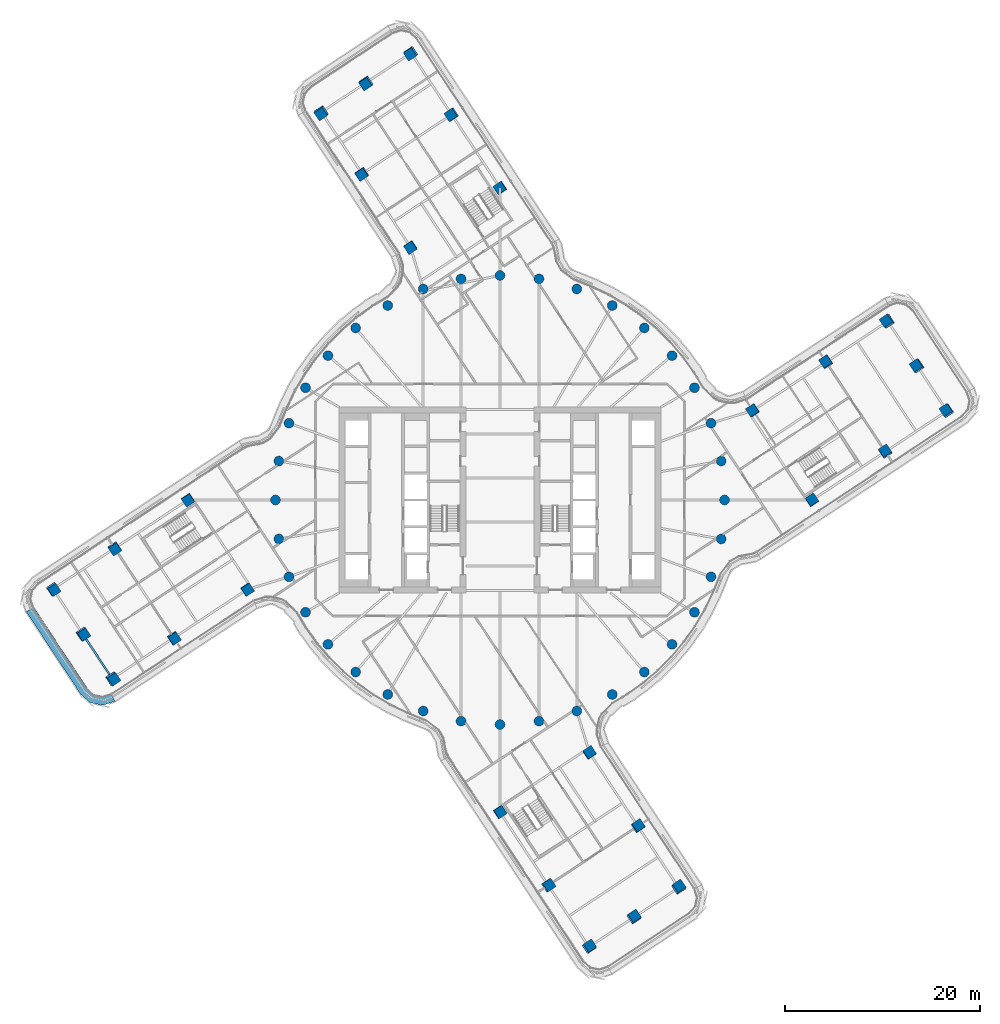
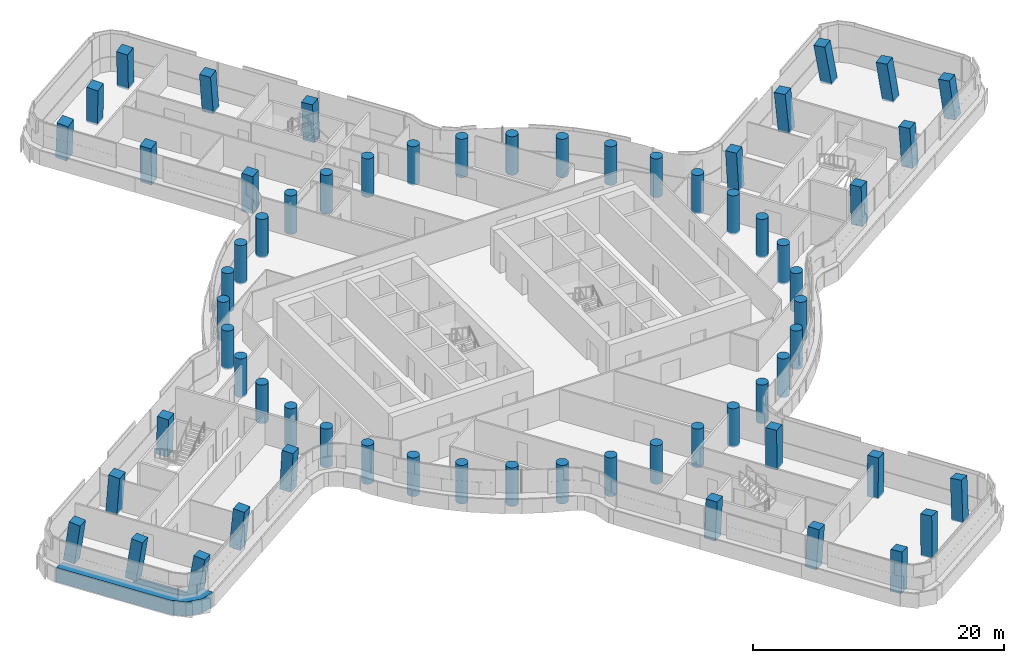
# One storey, part 1 of 35: 64 columns, 1 beam, 1 member, 1 element without a shape of its own.
"""IFC4 building model written with IfcOpenShell, lengths in metres."""

from ifc_helpers import new_model, si_unit, direction, frame, origin, origin_2d, place, context, subcontext, project, spatial, polyline, rectangle, circle, i_section, outline, extrude, material, layer, layer_set, material_profile, profile_set, type_object, element, aggregate, save


model = new_model("IFC4")

# Units and contexts
model_context = context("Model", 3, precision=1e-05, world=origin(), true_north=direction((0.0, 1.0)))
body_context = subcontext(model_context, "Body", "Model", "MODEL_VIEW")
ifc_project = project(units=[si_unit("LENGTHUNIT", "METRE"), si_unit("AREAUNIT", "SQUARE_METRE"), si_unit("VOLUMEUNIT", "CUBIC_METRE"), si_unit("PLANEANGLEUNIT", "RADIAN"), si_unit("MASSUNIT", "GRAM", prefix="KILO")], contexts=[model_context])

# Site, building, storey
site_placement = place(None, origin())
site = spatial("IfcSite", under=ifc_project, at=site_placement, CompositionType="ELEMENT")
building_placement = place(site_placement, origin())
building = spatial("IfcBuilding", under=site, at=building_placement, Name="Tamarind Cross Interchange Tower", CompositionType="ELEMENT")
storey_placement = place(building_placement, frame((0.0, 0.0, 155.5)))
storey = spatial("IfcBuildingStorey", under=building, at=storey_placement, Name="L38", CompositionType="ELEMENT", Elevation=155.5)

# Columns
ifc_material_1 = material(Name="Concrete C60", Category="concrete")
ifc_material_profile_1 = material_profile(ifc_material_1, rectangle(XDim=1.0, YDim=1.0, at=origin_2d()), Name="RC 1000x1000")
ifc_profile_set_1 = profile_set([ifc_material_profile_1], Name="Concrete C60")
column_type_1 = type_object("IfcColumnType", Name="Column RC 1000x1000 Concrete C60", PredefinedType="COLUMN", material=ifc_profile_set_1)
for number, where, z_axis, x_axis, name in (
    (1, (33.40673828125, 14.121826171875, -0.138427734375), (-0.068866576959, 0.054586985129, 0.996131344569), (0.54816955083, -0.832188590428, 0.083500260506), "Column L38-036"),
    (2, (39.467529296875, 4.942138671875, -0.138427734375), (-0.02466467689, 0.084379157781, 0.996128411123), (-0.835089681164, -0.549505215294, 0.02586972705), "Column L38-037"),
):
    element("IfcColumn", number, at=place(storey_placement, frame(where, z_axis=z_axis, x_axis=x_axis)), inside=storey, type_object=column_type_1, Name=name, PredefinedType="COLUMN", context=body_context, shape_type="SweptSolid", body=[
        extrude(rectangle(XDim=1.0, YDim=1.0, at=origin_2d()), origin(), (0.0, 0.0, 1.0), 3.761474609375),
    ])
for number, where, z_axis, x_axis, name in (
    (3, (25.896240234375, 9.1630859375, -0.138671875), (-0.044706213481, 0.018481171221, 0.998829215025), (0.55085630211, -0.833637157717, 0.040080215802), "Column L38-038"),
    (4, (31.956787109375, -0.016845703125, -0.138671875), (-0.000325373112, 0.048350444497, 0.99883038032), (-0.834913301645, -0.549750844654, 0.026339846965), "Column L38-039"),
):
    element("IfcColumn", number, at=place(storey_placement, frame(where, z_axis=z_axis, x_axis=x_axis)), inside=storey, type_object=column_type_1, Name=name, PredefinedType="COLUMN", context=body_context, shape_type="SweptSolid", body=[
        extrude(rectangle(XDim=1.0, YDim=1.0, at=origin_2d()), origin(), (0.0, 0.0, 1.0), 3.751708984375),
    ])
column_1_placement = place(storey_placement, frame((45.782470703125, 9.111328125, -0.13818359375), z_axis=(-0.099671102407, 0.076774561036, 0.992054100401), x_axis=(0.544782559192, -0.830094579699, 0.118974585332)))
element("IfcColumn", 5, at=column_1_placement, inside=storey, type_object=column_type_1, Name="Column L38-040", PredefinedType="COLUMN", context=body_context, shape_type="SweptSolid", body=[
    extrude(rectangle(XDim=1.0, YDim=1.0, at=origin_2d()), origin(), (0.0, 0.0, 1.0), 3.774658203125),
])
column_2_placement = place(storey_placement, frame((42.752197265625, 13.701171875, -0.137939453125), z_axis=(-0.121562821137, 0.061879480685, 0.990653022197), x_axis=(0.543618871996, -0.830909437452, 0.118608721274)))
element("IfcColumn", 6, at=column_2_placement, inside=storey, type_object=column_type_1, Name="Column L38-041", PredefinedType="COLUMN", context=body_context, shape_type="SweptSolid", body=[
    extrude(rectangle(XDim=1.0, YDim=1.0, at=origin_2d()), origin(), (0.0, 0.0, 1.0), 3.77978515625),
])
column_3_placement = place(storey_placement, frame((39.7216796875, 18.291015625, -0.137939453125), z_axis=(-0.143223064362, 0.046989025167, 0.988574319588), x_axis=(0.542273683982, -0.831859810844, 0.118103796565)))
element("IfcColumn", 7, at=column_3_placement, inside=storey, type_object=column_type_1, Name="Column L38-042", PredefinedType="COLUMN", context=body_context, shape_type="SweptSolid", body=[
    extrude(rectangle(XDim=1.0, YDim=1.0, at=origin_2d()), origin(), (0.0, 0.0, 1.0), 3.78759765625),
])
for number, where, z_axis, x_axis, name in (
    (8, (-14.121826171875, 33.40673828125, -0.138427734375), (-0.054586985129, -0.068866576959, 0.996131344569), (0.832188590428, 0.54816955083, 0.083500260506), "Column L38-043"),
    (9, (-4.942138671875, 39.467529296875, -0.138427734375), (-0.084379157781, -0.02466467689, 0.996128411123), (0.549505215294, -0.835089681164, 0.02586972705), "Column L38-044"),
):
    element("IfcColumn", number, at=place(storey_placement, frame(where, z_axis=z_axis, x_axis=x_axis)), inside=storey, type_object=column_type_1, Name=name, PredefinedType="COLUMN", context=body_context, shape_type="SweptSolid", body=[
        extrude(rectangle(XDim=1.0, YDim=1.0, at=origin_2d()), origin(), (0.0, 0.0, 1.0), 3.761474609375),
    ])
for number, where, z_axis, x_axis, name in (
    (10, (-9.1630859375, 25.896240234375, -0.138671875), (-0.018481171221, -0.044706213481, 0.998829215025), (0.833637157717, 0.55085630211, 0.040080215802), "Column L38-045"),
    (11, (0.016845703125, 31.956787109375, -0.138671875), (-0.048350444497, -0.000325373112, 0.99883038032), (0.549750844654, -0.834913301645, 0.026339846965), "Column L38-046"),
):
    element("IfcColumn", number, at=place(storey_placement, frame(where, z_axis=z_axis, x_axis=x_axis)), inside=storey, type_object=column_type_1, Name=name, PredefinedType="COLUMN", context=body_context, shape_type="SweptSolid", body=[
        extrude(rectangle(XDim=1.0, YDim=1.0, at=origin_2d()), origin(), (0.0, 0.0, 1.0), 3.751708984375),
    ])
column_4_placement = place(storey_placement, frame((-9.111328125, 45.782470703125, -0.13818359375), z_axis=(-0.076774561036, -0.099671102407, 0.992054100401), x_axis=(0.830094579699, 0.544782559192, 0.118974585332)))
element("IfcColumn", 12, at=column_4_placement, inside=storey, type_object=column_type_1, Name="Column L38-047", PredefinedType="COLUMN", context=body_context, shape_type="SweptSolid", body=[
    extrude(rectangle(XDim=1.0, YDim=1.0, at=origin_2d()), origin(), (0.0, 0.0, 1.0), 3.774658203125),
])
column_5_placement = place(storey_placement, frame((-13.701171875, 42.752197265625, -0.137939453125), z_axis=(-0.061879480685, -0.121562821137, 0.990653022197), x_axis=(0.830909437452, 0.543618871996, 0.118608721274)))
element("IfcColumn", 13, at=column_5_placement, inside=storey, type_object=column_type_1, Name="Column L38-048", PredefinedType="COLUMN", context=body_context, shape_type="SweptSolid", body=[
    extrude(rectangle(XDim=1.0, YDim=1.0, at=origin_2d()), origin(), (0.0, 0.0, 1.0), 3.77978515625),
])
column_6_placement = place(storey_placement, frame((-18.291015625, 39.7216796875, -0.137939453125), z_axis=(-0.046989025167, -0.143223064362, 0.988574319588), x_axis=(0.831859810844, 0.542273683982, 0.118103796565)))
element("IfcColumn", 14, at=column_6_placement, inside=storey, type_object=column_type_1, Name="Column L38-049", PredefinedType="COLUMN", context=body_context, shape_type="SweptSolid", body=[
    extrude(rectangle(XDim=1.0, YDim=1.0, at=origin_2d()), origin(), (0.0, 0.0, 1.0), 3.78759765625),
])
for number, where, z_axis, x_axis, name in (
    (15, (-33.40673828125, -14.121826171875, -0.138427734375), (0.068866576959, -0.054586985129, 0.996131344569), (-0.54816955083, 0.832188590428, 0.083500260506), "Column L38-050"),
    (16, (-39.467529296875, -4.942138671875, -0.138427734375), (0.02466467689, -0.084379157781, 0.996128411123), (0.835089681164, 0.549505215294, 0.02586972705), "Column L38-051"),
):
    element("IfcColumn", number, at=place(storey_placement, frame(where, z_axis=z_axis, x_axis=x_axis)), inside=storey, type_object=column_type_1, Name=name, PredefinedType="COLUMN", context=body_context, shape_type="SweptSolid", body=[
        extrude(rectangle(XDim=1.0, YDim=1.0, at=origin_2d()), origin(), (0.0, 0.0, 1.0), 3.761474609375),
    ])
for number, where, z_axis, x_axis, name in (
    (17, (-25.896240234375, -9.1630859375, -0.138671875), (0.044706213481, -0.018481171221, 0.998829215025), (-0.55085630211, 0.833637157717, 0.040080215802), "Column L38-052"),
    (18, (-31.956787109375, 0.016845703125, -0.138671875), (0.000325373112, -0.048350444497, 0.99883038032), (0.834913301645, 0.549750844654, 0.026339846965), "Column L38-053"),
):
    element("IfcColumn", number, at=place(storey_placement, frame(where, z_axis=z_axis, x_axis=x_axis)), inside=storey, type_object=column_type_1, Name=name, PredefinedType="COLUMN", context=body_context, shape_type="SweptSolid", body=[
        extrude(rectangle(XDim=1.0, YDim=1.0, at=origin_2d()), origin(), (0.0, 0.0, 1.0), 3.751708984375),
    ])
column_7_placement = place(storey_placement, frame((-45.782470703125, -9.111328125, -0.13818359375), z_axis=(0.099671102407, -0.076774561036, 0.992054100401), x_axis=(-0.544782559192, 0.830094579699, 0.118974585332)))
element("IfcColumn", 19, at=column_7_placement, inside=storey, type_object=column_type_1, Name="Column L38-054", PredefinedType="COLUMN", context=body_context, shape_type="SweptSolid", body=[
    extrude(rectangle(XDim=1.0, YDim=1.0, at=origin_2d()), origin(), (0.0, 0.0, 1.0), 3.774658203125),
])
column_8_placement = place(storey_placement, frame((-42.752197265625, -13.701171875, -0.137939453125), z_axis=(0.121562821137, -0.061879480685, 0.990653022197), x_axis=(-0.543618871996, 0.830909437452, 0.118608721274)))
element("IfcColumn", 20, at=column_8_placement, inside=storey, type_object=column_type_1, Name="Column L38-055", PredefinedType="COLUMN", context=body_context, shape_type="SweptSolid", body=[
    extrude(rectangle(XDim=1.0, YDim=1.0, at=origin_2d()), origin(), (0.0, 0.0, 1.0), 3.77978515625),
])
column_9_placement = place(storey_placement, frame((-39.7216796875, -18.291015625, -0.137939453125), z_axis=(0.143223064362, -0.046989025167, 0.988574319588), x_axis=(-0.542273683982, 0.831859810844, 0.118103796565)))
element("IfcColumn", 21, at=column_9_placement, inside=storey, type_object=column_type_1, Name="Column L38-056", PredefinedType="COLUMN", context=body_context, shape_type="SweptSolid", body=[
    extrude(rectangle(XDim=1.0, YDim=1.0, at=origin_2d()), origin(), (0.0, 0.0, 1.0), 3.78759765625),
])
for number, where, z_axis, x_axis, name in (
    (22, (14.121826171875, -33.40673828125, -0.138427734375), (0.054586985129, 0.068866576959, 0.996131344569), (-0.832188590428, -0.54816955083, 0.083500260506), "Column L38-057"),
    (23, (4.942138671875, -39.467529296875, -0.138427734375), (0.084379157781, 0.02466467689, 0.996128411123), (-0.549505215294, 0.835089681164, 0.02586972705), "Column L38-058"),
):
    element("IfcColumn", number, at=place(storey_placement, frame(where, z_axis=z_axis, x_axis=x_axis)), inside=storey, type_object=column_type_1, Name=name, PredefinedType="COLUMN", context=body_context, shape_type="SweptSolid", body=[
        extrude(rectangle(XDim=1.0, YDim=1.0, at=origin_2d()), origin(), (0.0, 0.0, 1.0), 3.761474609375),
    ])
for number, where, z_axis, x_axis, name in (
    (24, (9.1630859375, -25.896240234375, -0.138671875), (0.018481171221, 0.044706213481, 0.998829215025), (-0.833637157717, -0.55085630211, 0.040080215802), "Column L38-059"),
    (25, (-0.016845703125, -31.956787109375, -0.138671875), (0.048350444497, 0.000325373112, 0.99883038032), (-0.549750844654, 0.834913301645, 0.026339846965), "Column L38-060"),
):
    element("IfcColumn", number, at=place(storey_placement, frame(where, z_axis=z_axis, x_axis=x_axis)), inside=storey, type_object=column_type_1, Name=name, PredefinedType="COLUMN", context=body_context, shape_type="SweptSolid", body=[
        extrude(rectangle(XDim=1.0, YDim=1.0, at=origin_2d()), origin(), (0.0, 0.0, 1.0), 3.751708984375),
    ])
column_10_placement = place(storey_placement, frame((9.111328125, -45.782470703125, -0.13818359375), z_axis=(0.076774561036, 0.099671102407, 0.992054100401), x_axis=(-0.830094579699, -0.544782559192, 0.118974585332)))
element("IfcColumn", 26, at=column_10_placement, inside=storey, type_object=column_type_1, Name="Column L38-061", PredefinedType="COLUMN", context=body_context, shape_type="SweptSolid", body=[
    extrude(rectangle(XDim=1.0, YDim=1.0, at=origin_2d()), origin(), (0.0, 0.0, 1.0), 3.774658203125),
])
column_11_placement = place(storey_placement, frame((13.701171875, -42.752197265625, -0.137939453125), z_axis=(0.061879480685, 0.121562821137, 0.990653022197), x_axis=(-0.830909437452, -0.543618871996, 0.118608721274)))
element("IfcColumn", 27, at=column_11_placement, inside=storey, type_object=column_type_1, Name="Column L38-062", PredefinedType="COLUMN", context=body_context, shape_type="SweptSolid", body=[
    extrude(rectangle(XDim=1.0, YDim=1.0, at=origin_2d()), origin(), (0.0, 0.0, 1.0), 3.77978515625),
])
column_12_placement = place(storey_placement, frame((18.291015625, -39.7216796875, -0.137939453125), z_axis=(0.046989025167, 0.143223064362, 0.988574319588), x_axis=(-0.831859810844, -0.542273683982, 0.118103796565)))
element("IfcColumn", 28, at=column_12_placement, inside=storey, type_object=column_type_1, Name="Column L38-063", PredefinedType="COLUMN", context=body_context, shape_type="SweptSolid", body=[
    extrude(rectangle(XDim=1.0, YDim=1.0, at=origin_2d()), origin(), (0.0, 0.0, 1.0), 3.78759765625),
])
ifc_material_profile_2 = material_profile(ifc_material_1, circle(Radius=0.5, at=origin_2d()), Name="RC D1000")
ifc_profile_set_2 = profile_set([ifc_material_profile_2], Name="Concrete C60")
column_type_2 = type_object("IfcColumnType", Name="Column RC D1000 Concrete C60", PredefinedType="COLUMN", material=ifc_profile_set_2)
for number, where, z_axis, x_axis, name in (
    (29, (23.0, 0.0, -0.139892578125), (0.0, 0.0, 1.0), (1.0, 0.0, 0.0), "Column L38-000"),
    (30, (22.650634765625, 3.993896484375, -0.139892578125), (0.0, 0.0, 1.0), (1.0, 0.0, 0.0), "Column L38-001"),
    (31, (21.613037109375, 7.866455078125, -0.139892578125), (0.0, 0.0, 1.0), (1.0, 0.0, 0.0), "Column L38-002"),
    (32, (19.918701171875, 11.5, -0.139892578125), (0.0, 0.0, 1.0), (1.0, 0.0, 0.0), "Column L38-003"),
    (33, (17.619140625, 14.7841796875, -0.139892578125), (0.0, 0.0, 1.0), (1.0, 0.0, 0.0), "Column L38-004"),
    (34, (14.7841796875, 17.619140625, -0.139892578125), (0.0, 0.0, 1.0), (1.0, 0.0, 0.0), "Column L38-005"),
    (35, (11.5, 19.918701171875, -0.139892578125), (0.0, 0.0, 1.0), (1.0, 0.0, 0.0), "Column L38-006"),
    (36, (7.866455078125, 21.613037109375, -0.139892578125), (0.0, 0.0, 1.0), (1.0, 0.0, 0.0), "Column L38-007"),
    (37, (3.993896484375, 22.650634765625, -0.139892578125), (0.0, 0.0, 1.0), (1.0, 0.0, 0.0), "Column L38-008"),
    (38, (0.0, 23.0, -0.139892578125), (0.0, 0.0, 1.0), (1.0, 0.0, 0.0), "Column L38-009"),
    (39, (-3.993896484375, 22.650634765625, -0.139892578125), (0.0, 0.0, 1.0), (1.0, 0.0, 0.0), "Column L38-010"),
    (40, (-7.866455078125, 21.613037109375, -0.139892578125), (0.0, 0.0, 1.0), (1.0, 0.0, 0.0), "Column L38-011"),
    (41, (-11.5, 19.918701171875, -0.139892578125), (0.0, 0.0, 1.0), (1.0, 0.0, 0.0), "Column L38-012"),
    (42, (-14.7841796875, 17.619140625, -0.139892578125), (0.0, 0.0, 1.0), (1.0, 0.0, 0.0), "Column L38-013"),
    (43, (-17.619140625, 14.7841796875, -0.139892578125), (0.0, 0.0, 1.0), (1.0, 0.0, 0.0), "Column L38-014"),
    (44, (-19.918701171875, 11.5, -0.139892578125), (0.0, 0.0, 1.0), (1.0, 0.0, 0.0), "Column L38-015"),
    (45, (-21.613037109375, 7.866455078125, -0.139892578125), (0.0, 0.0, 1.0), (1.0, 0.0, 0.0), "Column L38-016"),
    (46, (-22.650634765625, 3.993896484375, -0.139892578125), (0.0, 0.0, 1.0), (1.0, 0.0, 0.0), "Column L38-017"),
    (47, (-23.0, 0.0, -0.139892578125), (0.0, 0.0, 1.0), (1.0, 0.0, 0.0), "Column L38-018"),
    (48, (-22.650634765625, -3.993896484375, -0.139892578125), (0.0, 0.0, 1.0), (1.0, 0.0, 0.0), "Column L38-019"),
    (49, (-21.613037109375, -7.866455078125, -0.139892578125), (0.0, 0.0, 1.0), (1.0, 0.0, 0.0), "Column L38-020"),
    (50, (-19.918701171875, -11.5, -0.139892578125), (0.0, 0.0, 1.0), (1.0, 0.0, 0.0), "Column L38-021"),
    (51, (-17.619140625, -14.7841796875, -0.139892578125), (0.0, 0.0, 1.0), (1.0, 0.0, 0.0), "Column L38-022"),
    (52, (-14.7841796875, -17.619140625, -0.139892578125), (0.0, 0.0, 1.0), (1.0, 0.0, 0.0), "Column L38-023"),
    (53, (-11.5, -19.918701171875, -0.139892578125), (0.0, 0.0, 1.0), (1.0, 0.0, 0.0), "Column L38-024"),
    (54, (-7.866455078125, -21.613037109375, -0.139892578125), (0.0, 0.0, 1.0), (1.0, 0.0, 0.0), "Column L38-025"),
    (55, (-3.993896484375, -22.650634765625, -0.139892578125), (0.0, 0.0, 1.0), (1.0, 0.0, 0.0), "Column L38-026"),
    (56, (0.0, -23.0, -0.139892578125), (0.0, 0.0, 1.0), (1.0, 0.0, 0.0), "Column L38-027"),
    (57, (3.993896484375, -22.650634765625, -0.139892578125), (0.0, 0.0, 1.0), (1.0, 0.0, 0.0), "Column L38-028"),
    (58, (7.866455078125, -21.613037109375, -0.139892578125), (0.0, 0.0, 1.0), (1.0, 0.0, 0.0), "Column L38-029"),
    (59, (11.5, -19.918701171875, -0.139892578125), (0.0, 0.0, 1.0), (1.0, 0.0, 0.0), "Column L38-030"),
    (60, (14.7841796875, -17.619140625, -0.139892578125), (0.0, 0.0, 1.0), (1.0, 0.0, 0.0), "Column L38-031"),
    (61, (17.619140625, -14.7841796875, -0.139892578125), (0.0, 0.0, 1.0), (1.0, 0.0, 0.0), "Column L38-032"),
    (62, (19.918701171875, -11.5, -0.139892578125), (0.0, 0.0, 1.0), (1.0, 0.0, 0.0), "Column L38-033"),
    (63, (21.613037109375, -7.866455078125, -0.139892578125), (0.0, 0.0, 1.0), (1.0, 0.0, 0.0), "Column L38-034"),
    (64, (22.650634765625, -3.993896484375, -0.139892578125), (0.0, 0.0, 1.0), (1.0, 0.0, 0.0), "Column L38-035"),
):
    element("IfcColumn", number, at=place(storey_placement, frame(where, z_axis=z_axis, x_axis=x_axis)), inside=storey, type_object=column_type_2, Name=name, PredefinedType="COLUMN", context=body_context, shape_type="SweptSolid", body=[
        extrude(circle(Radius=0.5, at=origin_2d()), origin(), (0.0, 0.0, 1.0), 3.75),
    ])

# Beam
ifc_material_2 = material(Name="Steel Q355B", Category="steel")
ifc_material_profile_3 = material_profile(ifc_material_2, i_section(OverallWidth=0.199951171875, OverallDepth=0.60009765625, WebThickness=0.010986328125, FlangeThickness=0.01708984375, FilletRadius=0.012939453125, at=origin_2d()), Name="HN 600x200x11x17")
ifc_profile_set_3 = profile_set([ifc_material_profile_3], Name="Steel Q355B")
beam_type = type_object("IfcBeamType", Name="Composite beam HN 600x200x11x17 Q355B", PredefinedType="BEAM", material=ifc_profile_set_3)
beam_placement = place(storey_placement, frame((-42.75244140625, -13.701171875, -0.43994140625), z_axis=(0.550996798662, -0.834507356387, 0.0), x_axis=(0.834507356387, 0.550996798662, 0.0)))
element("IfcBeam", 65, at=beam_placement, inside=storey, type_object=beam_type, Name="Beam W-tip1", PredefinedType="BEAM", context=body_context, shape_type="SweptSolid", body=[
    extrude(i_section(OverallWidth=0.199951171875, OverallDepth=0.60009765625, WebThickness=0.010986328125, FlangeThickness=0.01708984375, FilletRadius=0.012939453125, at=origin_2d()), origin(), (0.0, 0.0, 1.0), 5.5),
])

# Curtain wall, member
ifc_material_3 = material(Name="Aluminium 6063-T6", Category="aluminium")
ifc_layer = layer(ifc_material_3, 0.159912109375)
ifc_layer_set = layer_set([ifc_layer], Name="Aluminium 6063-T6")
curtain_wall_type = type_object("IfcCurtainWallType", Name="Office curtain wall, 9.0 m bays", PredefinedType="NOTDEFINED", material=ifc_layer_set)
curtain_wall_placement = place(storey_placement, origin())
curtain_wall = element("IfcCurtainWall", 66, at=curtain_wall_placement, inside=storey, type_object=curtain_wall_type, Name="CWS-L38-04", PredefinedType="NOTDEFINED")
ifc_material_4 = material(Name="Aluminium and insulated spandrel panel", Category="aluminium")
member_type = type_object("IfcMemberType", Name="Floor-edge blade transom", PredefinedType="USERDEFINED", material=ifc_material_4)
member_placement = place(storey_placement, origin())
member = element("IfcMember", 67, at=member_placement, type_object=member_type, Name="CWT-L38-04", ObjectType="TRANSOM", PredefinedType="USERDEFINED", context=body_context, shape_type="SweptSolid", body=[
    extrude(outline(polyline([(-47.715576171875, -11.033935546875), (-42.24951171875, -19.313232421875), (-41.564697265625, -19.920654296875), (-40.707763671875, -20.095947265625), (-39.839111328125, -19.806396484375), (-39.443115234375, -20.623046875), (-40.652099609375, -21.026123046875), (-41.9814453125, -20.75390625), (-42.935302734375, -19.907958984375), (-48.531982421875, -11.430908203125), (-47.715576171875, -11.033935546875)])), origin(), (0.0, 0.0, 1.0), 1.39990234375),
])
aggregate(curtain_wall, [member])

save(model, "model.ifc")
